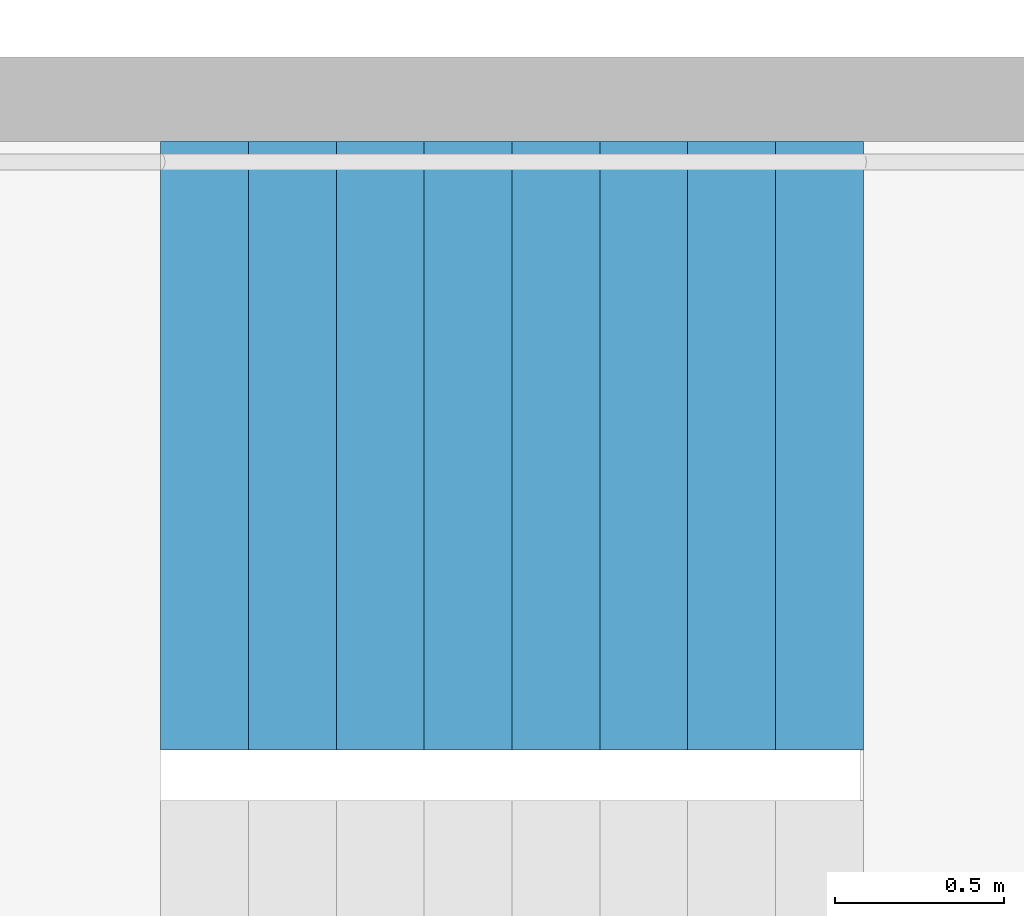
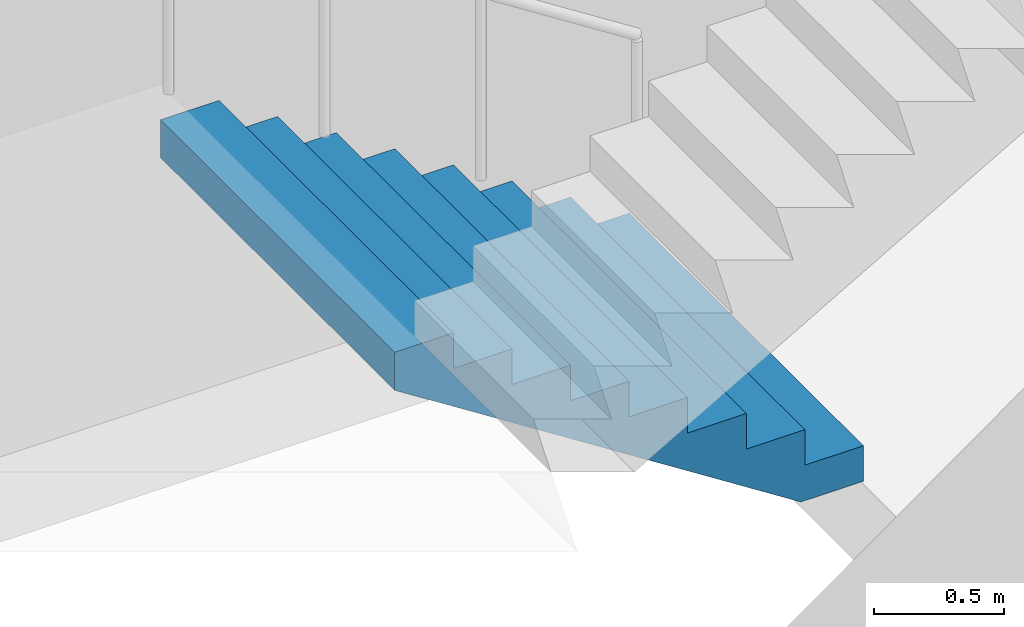
# One storey, part 52 of 100: 1 stair flight, 1 element without a shape of its own.
"""IFC4 building model written with IfcOpenShell, lengths in metres."""

from ifc_helpers import new_model, si_unit, direction, frame, origin, place, context, subcontext, project, spatial, triangles, material, type_object, element, aggregate, save


model = new_model("IFC4")

# Units and contexts
model_context = context("Model", 3, precision=1e-05, world=origin(), true_north=direction((0.0, 1.0)))
body_context = subcontext(model_context, "Body", "Model", "MODEL_VIEW")
ifc_project = project(units=[si_unit("LENGTHUNIT", "METRE"), si_unit("AREAUNIT", "SQUARE_METRE"), si_unit("VOLUMEUNIT", "CUBIC_METRE"), si_unit("PLANEANGLEUNIT", "RADIAN"), si_unit("MASSUNIT", "GRAM", prefix="KILO")], contexts=[model_context])

# Site, building, storey
site_placement = place(None, origin())
site = spatial("IfcSite", under=ifc_project, at=site_placement, CompositionType="ELEMENT")
building_placement = place(site_placement, origin())
building = spatial("IfcBuilding", under=site, at=building_placement, Name="Hakoniwa Tower and Hamabe Station Hall", CompositionType="ELEMENT")
storey_placement = place(building_placement, frame((0.0, 0.0, 9.0)))
storey = spatial("IfcBuildingStorey", under=building, at=storey_placement, Name="L02", CompositionType="ELEMENT", Elevation=9.0)

# Stair, stair flight
ifc_material_1 = material(Name="Concrete C40", Category="concrete")
stair_type = type_object("IfcStairType", Name="ESCAPE STAIR 1800", PredefinedType="HALF_TURN_STAIR", material=ifc_material_1)
stair_placement = place(storey_placement, origin())
stair = element("IfcStair", 1, at=stair_placement, inside=storey, type_object=stair_type, Name="Escape stair ST-2 L02", PredefinedType="HALF_TURN_STAIR")
ifc_material_2 = material(Name="Concrete C40", Category="concrete")
stair_flight_type = type_object("IfcStairFlightType", Name="STAIR FLIGHT 1800", PredefinedType="STRAIGHT", material=ifc_material_2)
stair_flight_placement = place(storey_placement, frame((-23.39990234375, -4.64990234375, 0.0), z_axis=(0.0, 0.0, 1.0), x_axis=(-1.0, 0.0, 0.0)))
stair_flight = element("IfcStairFlight", 2, at=stair_flight_placement, type_object=stair_flight_type, Name="ST-2 flight 1", NumberOfRisers=9, NumberOfTreads=8, PredefinedType="STRAIGHT", RiserHeight=0.166666667, TreadLength=0.26, context=body_context, shape_type="Tessellation", body=[
    triangles([(0.0, 0.89990234375, 0.0), (0.260009765625, 0.89990234375, 0.0), (0.27783203125, 0.89990234375, 0.0), (0.52001953125, 0.89990234375, 0.1552734375), (0.780029296875, 0.89990234375, 0.322021484375), (1.0400390625, 0.89990234375, 0.488525390625), (1.300048828125, 0.89990234375, 0.6552734375), (1.56005859375, 0.89990234375, 0.822021484375), (1.820068359375, 0.89990234375, 0.988525390625), (2.080078125, 0.89990234375, 1.1552734375), (2.080078125, 0.89990234375, 1.333251953125), (1.820068359375, 0.89990234375, 1.333251953125), (1.820068359375, 0.89990234375, 1.166748046875), (1.56005859375, 0.89990234375, 1.166748046875), (1.56005859375, 0.89990234375, 1.0), (1.300048828125, 0.89990234375, 1.0), (1.300048828125, 0.89990234375, 0.833251953125), (1.0400390625, 0.89990234375, 0.833251953125), (1.0400390625, 0.89990234375, 0.666748046875), (0.780029296875, 0.89990234375, 0.666748046875), (0.780029296875, 0.89990234375, 0.5), (0.52001953125, 0.89990234375, 0.5), (0.52001953125, 0.89990234375, 0.333251953125), (0.27783203125, 0.89990234375, 0.333251953125), (0.260009765625, 0.89990234375, 0.333251953125), (0.260009765625, 0.89990234375, 0.166748046875), (0.0, 0.89990234375, 0.166748046875), (0.0, 0.06005859375, 0.0), (0.260009765625, 0.06005859375, 0.0), (0.27783203125, 0.06005859375, 0.0), (0.52001953125, 0.06005859375, 0.1552734375), (0.780029296875, 0.06005859375, 0.322021484375), (1.0400390625, 0.06005859375, 0.488525390625), (1.300048828125, 0.06005859375, 0.6552734375), (1.56005859375, 0.06005859375, 0.822021484375), (1.820068359375, 0.06005859375, 0.988525390625), (2.080078125, 0.06005859375, 1.1552734375), (2.080078125, 0.06005859375, 1.333251953125), (1.820068359375, 0.06005859375, 1.333251953125), (1.820068359375, 0.06005859375, 1.166748046875), (1.56005859375, 0.06005859375, 1.166748046875), (1.56005859375, 0.06005859375, 1.0), (1.300048828125, 0.06005859375, 1.0), (1.300048828125, 0.06005859375, 0.833251953125), (1.0400390625, 0.06005859375, 0.833251953125), (1.0400390625, 0.06005859375, 0.666748046875), (0.780029296875, 0.06005859375, 0.666748046875), (0.780029296875, 0.06005859375, 0.5), (0.52001953125, 0.06005859375, 0.5), (0.52001953125, 0.06005859375, 0.333251953125), (0.27783203125, 0.06005859375, 0.333251953125), (0.260009765625, 0.06005859375, 0.333251953125), (0.260009765625, 0.06005859375, 0.166748046875), (0.0, 0.06005859375, 0.166748046875), (0.0, 0.04296875, 0.0), (0.260009765625, 0.04296875, 0.0), (0.27783203125, 0.04296875, 0.0), (0.52001953125, 0.04296875, 0.1552734375), (0.780029296875, 0.04296875, 0.322021484375), (1.0400390625, 0.04296875, 0.488525390625), (1.300048828125, 0.04296875, 0.6552734375), (1.56005859375, 0.04296875, 0.822021484375), (1.820068359375, 0.04296875, 0.988525390625), (2.080078125, 0.04296875, 1.1552734375), (2.080078125, 0.04296875, 1.333251953125), (1.820068359375, 0.04296875, 1.333251953125), (1.820068359375, 0.04296875, 1.166748046875), (1.56005859375, 0.04296875, 1.166748046875), (1.56005859375, 0.04296875, 1.0), (1.300048828125, 0.04296875, 1.0), (1.300048828125, 0.04296875, 0.833251953125), (1.0400390625, 0.04296875, 0.833251953125), (1.0400390625, 0.04296875, 0.666748046875), (0.780029296875, 0.04296875, 0.666748046875), (0.780029296875, 0.04296875, 0.5), (0.52001953125, 0.04296875, 0.5), (0.52001953125, 0.04296875, 0.333251953125), (0.27783203125, 0.04296875, 0.333251953125), (0.260009765625, 0.04296875, 0.333251953125), (0.260009765625, 0.04296875, 0.166748046875), (0.0, 0.04296875, 0.166748046875), (0.0, 0.025634765625, 0.0), (0.260009765625, 0.025634765625, 0.0), (0.27783203125, 0.025634765625, 0.0), (0.52001953125, 0.025634765625, 0.1552734375), (0.780029296875, 0.025634765625, 0.322021484375), (1.0400390625, 0.025634765625, 0.488525390625), (1.300048828125, 0.025634765625, 0.6552734375), (1.56005859375, 0.025634765625, 0.822021484375), (1.820068359375, 0.025634765625, 0.988525390625), (2.080078125, 0.025634765625, 1.1552734375), (2.080078125, 0.025634765625, 1.333251953125), (1.820068359375, 0.025634765625, 1.333251953125), (1.820068359375, 0.025634765625, 1.166748046875), (1.56005859375, 0.025634765625, 1.166748046875), (1.56005859375, 0.025634765625, 1.0), (1.300048828125, 0.025634765625, 1.0), (1.300048828125, 0.025634765625, 0.833251953125), (1.0400390625, 0.025634765625, 0.833251953125), (1.0400390625, 0.025634765625, 0.666748046875), (0.780029296875, 0.025634765625, 0.666748046875), (0.780029296875, 0.025634765625, 0.5), (0.52001953125, 0.025634765625, 0.5), (0.52001953125, 0.025634765625, 0.333251953125), (0.27783203125, 0.025634765625, 0.333251953125), (0.260009765625, 0.025634765625, 0.333251953125), (0.260009765625, 0.025634765625, 0.166748046875), (0.0, 0.025634765625, 0.166748046875), (0.0, 0.008544921875, 0.0), (0.260009765625, 0.008544921875, 0.0), (0.27783203125, 0.008544921875, 0.0), (0.52001953125, 0.008544921875, 0.1552734375), (0.780029296875, 0.008544921875, 0.322021484375), (1.0400390625, 0.008544921875, 0.488525390625), (1.300048828125, 0.008544921875, 0.6552734375), (1.56005859375, 0.008544921875, 0.822021484375), (1.820068359375, 0.008544921875, 0.988525390625), (2.080078125, 0.008544921875, 1.1552734375), (2.080078125, 0.008544921875, 1.333251953125), (1.820068359375, 0.008544921875, 1.333251953125), (1.820068359375, 0.008544921875, 1.166748046875), (1.56005859375, 0.008544921875, 1.166748046875), (1.56005859375, 0.008544921875, 1.0), (1.300048828125, 0.008544921875, 1.0), (1.300048828125, 0.008544921875, 0.833251953125), (1.0400390625, 0.008544921875, 0.833251953125), (1.0400390625, 0.008544921875, 0.666748046875), (0.780029296875, 0.008544921875, 0.666748046875), (0.780029296875, 0.008544921875, 0.5), (0.52001953125, 0.008544921875, 0.5), (0.52001953125, 0.008544921875, 0.333251953125), (0.27783203125, 0.008544921875, 0.333251953125), (0.260009765625, 0.008544921875, 0.333251953125), (0.260009765625, 0.008544921875, 0.166748046875), (0.0, 0.008544921875, 0.166748046875), (0.0, -0.008544921875, 0.0), (0.260009765625, -0.008544921875, 0.0), (0.27783203125, -0.008544921875, 0.0), (0.52001953125, -0.008544921875, 0.1552734375), (0.780029296875, -0.008544921875, 0.322021484375), (1.0400390625, -0.008544921875, 0.488525390625), (1.300048828125, -0.008544921875, 0.6552734375), (1.56005859375, -0.008544921875, 0.822021484375), (1.820068359375, -0.008544921875, 0.988525390625), (2.080078125, -0.008544921875, 1.1552734375), (2.080078125, -0.008544921875, 1.333251953125), (1.820068359375, -0.008544921875, 1.333251953125), (1.820068359375, -0.008544921875, 1.166748046875), (1.56005859375, -0.008544921875, 1.166748046875), (1.56005859375, -0.008544921875, 1.0), (1.300048828125, -0.008544921875, 1.0), (1.300048828125, -0.008544921875, 0.833251953125), (1.0400390625, -0.008544921875, 0.833251953125), (1.0400390625, -0.008544921875, 0.666748046875), (0.780029296875, -0.008544921875, 0.666748046875), (0.780029296875, -0.008544921875, 0.5), (0.52001953125, -0.008544921875, 0.5), (0.52001953125, -0.008544921875, 0.333251953125), (0.27783203125, -0.008544921875, 0.333251953125), (0.260009765625, -0.008544921875, 0.333251953125), (0.260009765625, -0.008544921875, 0.166748046875), (0.0, -0.008544921875, 0.166748046875), (0.0, -0.025634765625, 0.0), (0.260009765625, -0.025634765625, 0.0), (0.27783203125, -0.025634765625, 0.0), (0.52001953125, -0.025634765625, 0.1552734375), (0.780029296875, -0.025634765625, 0.322021484375), (1.0400390625, -0.025634765625, 0.488525390625), (1.300048828125, -0.025634765625, 0.6552734375), (1.56005859375, -0.025634765625, 0.822021484375), (1.820068359375, -0.025634765625, 0.988525390625), (2.080078125, -0.025634765625, 1.1552734375), (2.080078125, -0.025634765625, 1.333251953125), (1.820068359375, -0.025634765625, 1.333251953125), (1.820068359375, -0.025634765625, 1.166748046875), (1.56005859375, -0.025634765625, 1.166748046875), (1.56005859375, -0.025634765625, 1.0), (1.300048828125, -0.025634765625, 1.0), (1.300048828125, -0.025634765625, 0.833251953125), (1.0400390625, -0.025634765625, 0.833251953125), (1.0400390625, -0.025634765625, 0.666748046875), (0.780029296875, -0.025634765625, 0.666748046875), (0.780029296875, -0.025634765625, 0.5), (0.52001953125, -0.025634765625, 0.5), (0.52001953125, -0.025634765625, 0.333251953125), (0.27783203125, -0.025634765625, 0.333251953125), (0.260009765625, -0.025634765625, 0.333251953125), (0.260009765625, -0.025634765625, 0.166748046875), (0.0, -0.025634765625, 0.166748046875), (0.0, -0.04296875, 0.0), (0.260009765625, -0.04296875, 0.0), (0.27783203125, -0.04296875, 0.0), (0.52001953125, -0.04296875, 0.1552734375), (0.780029296875, -0.04296875, 0.322021484375), (1.0400390625, -0.04296875, 0.488525390625), (1.300048828125, -0.04296875, 0.6552734375), (1.56005859375, -0.04296875, 0.822021484375), (1.820068359375, -0.04296875, 0.988525390625), (2.080078125, -0.04296875, 1.1552734375), (2.080078125, -0.04296875, 1.333251953125), (1.820068359375, -0.04296875, 1.333251953125), (1.820068359375, -0.04296875, 1.166748046875), (1.56005859375, -0.04296875, 1.166748046875), (1.56005859375, -0.04296875, 1.0), (1.300048828125, -0.04296875, 1.0), (1.300048828125, -0.04296875, 0.833251953125), (1.0400390625, -0.04296875, 0.833251953125), (1.0400390625, -0.04296875, 0.666748046875), (0.780029296875, -0.04296875, 0.666748046875), (0.780029296875, -0.04296875, 0.5), (0.52001953125, -0.04296875, 0.5), (0.52001953125, -0.04296875, 0.333251953125), (0.27783203125, -0.04296875, 0.333251953125), (0.260009765625, -0.04296875, 0.333251953125), (0.260009765625, -0.04296875, 0.166748046875), (0.0, -0.04296875, 0.166748046875), (0.0, -0.06005859375, 0.0), (0.260009765625, -0.06005859375, 0.0), (0.27783203125, -0.06005859375, 0.0), (0.52001953125, -0.06005859375, 0.1552734375), (0.780029296875, -0.06005859375, 0.322021484375), (1.0400390625, -0.06005859375, 0.488525390625), (1.300048828125, -0.06005859375, 0.6552734375), (1.56005859375, -0.06005859375, 0.822021484375), (1.820068359375, -0.06005859375, 0.988525390625), (2.080078125, -0.06005859375, 1.1552734375), (2.080078125, -0.06005859375, 1.333251953125), (1.820068359375, -0.06005859375, 1.333251953125), (1.820068359375, -0.06005859375, 1.166748046875), (1.56005859375, -0.06005859375, 1.166748046875), (1.56005859375, -0.06005859375, 1.0), (1.300048828125, -0.06005859375, 1.0), (1.300048828125, -0.06005859375, 0.833251953125), (1.0400390625, -0.06005859375, 0.833251953125), (1.0400390625, -0.06005859375, 0.666748046875), (0.780029296875, -0.06005859375, 0.666748046875), (0.780029296875, -0.06005859375, 0.5), (0.52001953125, -0.06005859375, 0.5), (0.52001953125, -0.06005859375, 0.333251953125), (0.27783203125, -0.06005859375, 0.333251953125), (0.260009765625, -0.06005859375, 0.333251953125), (0.260009765625, -0.06005859375, 0.166748046875), (0.0, -0.06005859375, 0.166748046875), (0.0, -0.89990234375, 0.0), (0.260009765625, -0.89990234375, 0.0), (0.27783203125, -0.89990234375, 0.0), (0.52001953125, -0.89990234375, 0.1552734375), (0.780029296875, -0.89990234375, 0.322021484375), (1.0400390625, -0.89990234375, 0.488525390625), (1.300048828125, -0.89990234375, 0.6552734375), (1.56005859375, -0.89990234375, 0.822021484375), (1.820068359375, -0.89990234375, 0.988525390625), (2.080078125, -0.89990234375, 1.1552734375), (2.080078125, -0.89990234375, 1.333251953125), (1.820068359375, -0.89990234375, 1.333251953125), (1.820068359375, -0.89990234375, 1.166748046875), (1.56005859375, -0.89990234375, 1.166748046875), (1.56005859375, -0.89990234375, 1.0), (1.300048828125, -0.89990234375, 1.0), (1.300048828125, -0.89990234375, 0.833251953125), (1.0400390625, -0.89990234375, 0.833251953125), (1.0400390625, -0.89990234375, 0.666748046875), (0.780029296875, -0.89990234375, 0.666748046875), (0.780029296875, -0.89990234375, 0.5), (0.52001953125, -0.89990234375, 0.5), (0.52001953125, -0.89990234375, 0.333251953125), (0.27783203125, -0.89990234375, 0.333251953125), (0.260009765625, -0.89990234375, 0.333251953125), (0.260009765625, -0.89990234375, 0.166748046875), (0.0, -0.89990234375, 0.166748046875)], [[2, 27, 26], [245, 269, 270], [2, 1, 27], [245, 270, 244], [3, 25, 24], [246, 267, 268], [3, 26, 25], [246, 268, 269], [3, 2, 26], [246, 269, 245], [4, 24, 23], [247, 266, 267], [4, 3, 24], [247, 267, 246], [5, 22, 21], [248, 264, 265], [5, 23, 22], [248, 265, 266], [5, 4, 23], [248, 266, 247], [6, 20, 19], [249, 262, 263], [6, 21, 20], [249, 263, 264], [6, 5, 21], [249, 264, 248], [7, 18, 17], [250, 260, 261], [7, 19, 18], [250, 261, 262], [7, 6, 19], [250, 262, 249], [8, 16, 15], [251, 258, 259], [8, 17, 16], [251, 259, 260], [8, 7, 17], [251, 260, 250], [9, 14, 13], [252, 256, 257], [9, 15, 14], [252, 257, 258], [9, 8, 15], [252, 258, 251], [10, 12, 11], [253, 254, 255], [10, 13, 12], [253, 255, 256], [10, 9, 13], [253, 256, 252], [1, 2, 29], [1, 29, 28], [28, 29, 56], [28, 56, 55], [55, 56, 83], [55, 83, 82], [82, 83, 110], [82, 110, 109], [109, 110, 137], [109, 137, 136], [136, 137, 164], [136, 164, 163], [163, 164, 191], [163, 191, 190], [190, 191, 218], [190, 218, 217], [217, 218, 245], [217, 245, 244], [2, 3, 30], [2, 30, 29], [29, 30, 57], [29, 57, 56], [56, 57, 84], [56, 84, 83], [83, 84, 111], [83, 111, 110], [110, 111, 138], [110, 138, 137], [137, 138, 165], [137, 165, 164], [164, 165, 192], [164, 192, 191], [191, 192, 219], [191, 219, 218], [218, 219, 246], [218, 246, 245], [3, 4, 31], [3, 31, 30], [30, 31, 58], [30, 58, 57], [57, 58, 85], [57, 85, 84], [84, 85, 112], [84, 112, 111], [111, 112, 139], [111, 139, 138], [138, 139, 166], [138, 166, 165], [165, 166, 193], [165, 193, 192], [192, 193, 220], [192, 220, 219], [219, 220, 247], [219, 247, 246], [4, 5, 32], [4, 32, 31], [31, 32, 59], [31, 59, 58], [58, 59, 86], [58, 86, 85], [85, 86, 113], [85, 113, 112], [112, 113, 140], [112, 140, 139], [139, 140, 167], [139, 167, 166], [166, 167, 194], [166, 194, 193], [193, 194, 221], [193, 221, 220], [220, 221, 248], [220, 248, 247], [5, 6, 33], [5, 33, 32], [32, 33, 60], [32, 60, 59], [59, 60, 87], [59, 87, 86], [86, 87, 114], [86, 114, 113], [113, 114, 141], [113, 141, 140], [140, 141, 168], [140, 168, 167], [167, 168, 195], [167, 195, 194], [194, 195, 222], [194, 222, 221], [221, 222, 249], [221, 249, 248], [6, 7, 34], [6, 34, 33], [33, 34, 61], [33, 61, 60], [60, 61, 88], [60, 88, 87], [87, 88, 115], [87, 115, 114], [114, 115, 142], [114, 142, 141], [141, 142, 169], [141, 169, 168], [168, 169, 196], [168, 196, 195], [195, 196, 223], [195, 223, 222], [222, 223, 250], [222, 250, 249], [7, 8, 35], [7, 35, 34], [34, 35, 62], [34, 62, 61], [61, 62, 89], [61, 89, 88], [88, 89, 116], [88, 116, 115], [115, 116, 143], [115, 143, 142], [142, 143, 170], [142, 170, 169], [169, 170, 197], [169, 197, 196], [196, 197, 224], [196, 224, 223], [223, 224, 251], [223, 251, 250], [8, 9, 36], [8, 36, 35], [35, 36, 63], [35, 63, 62], [62, 63, 90], [62, 90, 89], [89, 90, 117], [89, 117, 116], [116, 117, 144], [116, 144, 143], [143, 144, 171], [143, 171, 170], [170, 171, 198], [170, 198, 197], [197, 198, 225], [197, 225, 224], [224, 225, 252], [224, 252, 251], [9, 10, 37], [9, 37, 36], [36, 37, 64], [36, 64, 63], [63, 64, 91], [63, 91, 90], [90, 91, 118], [90, 118, 117], [117, 118, 145], [117, 145, 144], [144, 145, 172], [144, 172, 171], [171, 172, 199], [171, 199, 198], [198, 199, 226], [198, 226, 225], [225, 226, 253], [225, 253, 252], [10, 11, 38], [10, 38, 37], [37, 38, 65], [37, 65, 64], [64, 65, 92], [64, 92, 91], [91, 92, 119], [91, 119, 118], [118, 119, 146], [118, 146, 145], [145, 146, 173], [145, 173, 172], [172, 173, 200], [172, 200, 199], [199, 200, 227], [199, 227, 226], [226, 227, 254], [226, 254, 253], [11, 12, 39], [11, 39, 38], [38, 39, 66], [38, 66, 65], [65, 66, 93], [65, 93, 92], [92, 93, 120], [92, 120, 119], [119, 120, 147], [119, 147, 146], [146, 147, 174], [146, 174, 173], [173, 174, 201], [173, 201, 200], [200, 201, 228], [200, 228, 227], [227, 228, 255], [227, 255, 254], [12, 13, 40], [12, 40, 39], [39, 40, 67], [39, 67, 66], [66, 67, 94], [66, 94, 93], [93, 94, 121], [93, 121, 120], [120, 121, 148], [120, 148, 147], [147, 148, 175], [147, 175, 174], [174, 175, 202], [174, 202, 201], [201, 202, 229], [201, 229, 228], [228, 229, 256], [228, 256, 255], [13, 14, 41], [13, 41, 40], [40, 41, 68], [40, 68, 67], [67, 68, 95], [67, 95, 94], [94, 95, 122], [94, 122, 121], [121, 122, 149], [121, 149, 148], [148, 149, 176], [148, 176, 175], [175, 176, 203], [175, 203, 202], [202, 203, 230], [202, 230, 229], [229, 230, 257], [229, 257, 256], [14, 15, 42], [14, 42, 41], [41, 42, 69], [41, 69, 68], [68, 69, 96], [68, 96, 95], [95, 96, 123], [95, 123, 122], [122, 123, 150], [122, 150, 149], [149, 150, 177], [149, 177, 176], [176, 177, 204], [176, 204, 203], [203, 204, 231], [203, 231, 230], [230, 231, 258], [230, 258, 257], [15, 16, 43], [15, 43, 42], [42, 43, 70], [42, 70, 69], [69, 70, 97], [69, 97, 96], [96, 97, 124], [96, 124, 123], [123, 124, 151], [123, 151, 150], [150, 151, 178], [150, 178, 177], [177, 178, 205], [177, 205, 204], [204, 205, 232], [204, 232, 231], [231, 232, 259], [231, 259, 258], [16, 17, 44], [16, 44, 43], [43, 44, 71], [43, 71, 70], [70, 71, 98], [70, 98, 97], [97, 98, 125], [97, 125, 124], [124, 125, 152], [124, 152, 151], [151, 152, 179], [151, 179, 178], [178, 179, 206], [178, 206, 205], [205, 206, 233], [205, 233, 232], [232, 233, 260], [232, 260, 259], [17, 18, 45], [17, 45, 44], [44, 45, 72], [44, 72, 71], [71, 72, 99], [71, 99, 98], [98, 99, 126], [98, 126, 125], [125, 126, 153], [125, 153, 152], [152, 153, 180], [152, 180, 179], [179, 180, 207], [179, 207, 206], [206, 207, 234], [206, 234, 233], [233, 234, 261], [233, 261, 260], [18, 19, 46], [18, 46, 45], [45, 46, 73], [45, 73, 72], [72, 73, 100], [72, 100, 99], [99, 100, 127], [99, 127, 126], [126, 127, 154], [126, 154, 153], [153, 154, 181], [153, 181, 180], [180, 181, 208], [180, 208, 207], [207, 208, 235], [207, 235, 234], [234, 235, 262], [234, 262, 261], [19, 20, 47], [19, 47, 46], [46, 47, 74], [46, 74, 73], [73, 74, 101], [73, 101, 100], [100, 101, 128], [100, 128, 127], [127, 128, 155], [127, 155, 154], [154, 155, 182], [154, 182, 181], [181, 182, 209], [181, 209, 208], [208, 209, 236], [208, 236, 235], [235, 236, 263], [235, 263, 262], [20, 21, 48], [20, 48, 47], [47, 48, 75], [47, 75, 74], [74, 75, 102], [74, 102, 101], [101, 102, 129], [101, 129, 128], [128, 129, 156], [128, 156, 155], [155, 156, 183], [155, 183, 182], [182, 183, 210], [182, 210, 209], [209, 210, 237], [209, 237, 236], [236, 237, 264], [236, 264, 263], [21, 22, 49], [21, 49, 48], [48, 49, 76], [48, 76, 75], [75, 76, 103], [75, 103, 102], [102, 103, 130], [102, 130, 129], [129, 130, 157], [129, 157, 156], [156, 157, 184], [156, 184, 183], [183, 184, 211], [183, 211, 210], [210, 211, 238], [210, 238, 237], [237, 238, 265], [237, 265, 264], [22, 23, 50], [22, 50, 49], [49, 50, 77], [49, 77, 76], [76, 77, 104], [76, 104, 103], [103, 104, 131], [103, 131, 130], [130, 131, 158], [130, 158, 157], [157, 158, 185], [157, 185, 184], [184, 185, 212], [184, 212, 211], [211, 212, 239], [211, 239, 238], [238, 239, 266], [238, 266, 265], [23, 24, 51], [23, 51, 50], [50, 51, 78], [50, 78, 77], [77, 78, 105], [77, 105, 104], [104, 105, 132], [104, 132, 131], [131, 132, 159], [131, 159, 158], [158, 159, 186], [158, 186, 185], [185, 186, 213], [185, 213, 212], [212, 213, 240], [212, 240, 239], [239, 240, 267], [239, 267, 266], [24, 25, 52], [24, 52, 51], [51, 52, 79], [51, 79, 78], [78, 79, 106], [78, 106, 105], [105, 106, 133], [105, 133, 132], [132, 133, 160], [132, 160, 159], [159, 160, 187], [159, 187, 186], [186, 187, 214], [186, 214, 213], [213, 214, 241], [213, 241, 240], [240, 241, 268], [240, 268, 267], [25, 26, 53], [25, 53, 52], [52, 53, 80], [52, 80, 79], [79, 80, 107], [79, 107, 106], [106, 107, 134], [106, 134, 133], [133, 134, 161], [133, 161, 160], [160, 161, 188], [160, 188, 187], [187, 188, 215], [187, 215, 214], [214, 215, 242], [214, 242, 241], [241, 242, 269], [241, 269, 268], [26, 27, 54], [26, 54, 53], [53, 54, 81], [53, 81, 80], [80, 81, 108], [80, 108, 107], [107, 108, 135], [107, 135, 134], [134, 135, 162], [134, 162, 161], [161, 162, 189], [161, 189, 188], [188, 189, 216], [188, 216, 215], [215, 216, 243], [215, 243, 242], [242, 243, 270], [242, 270, 269], [27, 1, 28], [27, 28, 54], [54, 28, 55], [54, 55, 81], [81, 55, 82], [81, 82, 108], [108, 82, 109], [108, 109, 135], [135, 109, 136], [135, 136, 162], [162, 136, 163], [162, 163, 189], [189, 163, 190], [189, 190, 216], [216, 190, 217], [216, 217, 243], [243, 217, 244], [243, 244, 270]], closed=True),
])
aggregate(stair, [stair_flight])

save(model, "model.ifc")
